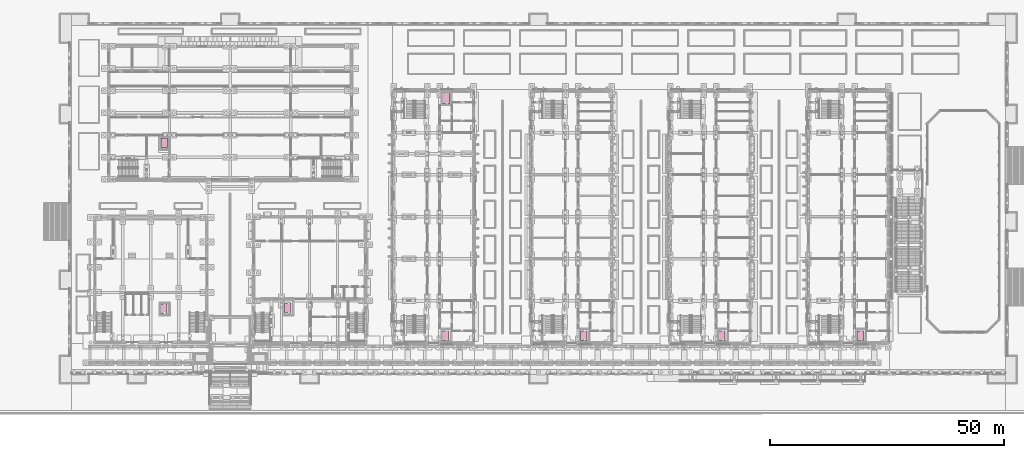
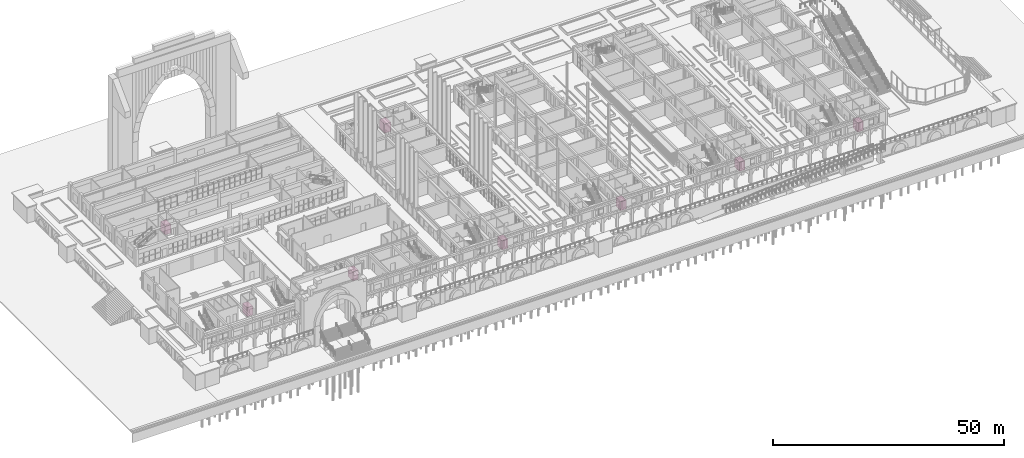
# One storey, part 161 of 161: 8 transport elements.
"""IFC4 building model written with IfcOpenShell, lengths in metres."""

from ifc_helpers import new_model, si_unit, direction, frame, origin, origin_2d, place, context, subcontext, project, spatial, rectangle, extrude, material, type_object, element, save


model = new_model("IFC4")

# Units and contexts
model_context = context("Model", 3, precision=1e-05, world=origin(), true_north=direction((0.0, 1.0)))
body_context = subcontext(model_context, "Body", "Model", "MODEL_VIEW")
ifc_project = project(units=[si_unit("LENGTHUNIT", "METRE"), si_unit("AREAUNIT", "SQUARE_METRE"), si_unit("VOLUMEUNIT", "CUBIC_METRE"), si_unit("PLANEANGLEUNIT", "RADIAN"), si_unit("MASSUNIT", "GRAM", prefix="KILO")], contexts=[model_context])

# Site, building, storey
site_placement = place(None, origin())
site = spatial("IfcSite", under=ifc_project, at=site_placement, CompositionType="ELEMENT")
building_placement = place(site_placement, origin())
building = spatial("IfcBuilding", under=site, at=building_placement, Name="Elbe Cascade School", CompositionType="ELEMENT")
storey_placement = place(building_placement, origin())
storey = spatial("IfcBuildingStorey", under=building, at=storey_placement, Name="L00", CompositionType="ELEMENT", Elevation=0.0)

# Transport elements
ifc_material_1 = material(Name="Stainless steel - brushed", Category="steel")
transport_element_type_1 = type_object("IfcTransportElementType", Name="Assembly hall passenger lift car 1400x2000", PredefinedType="ELEVATOR", material=ifc_material_1)
transport_element_1_placement = place(storey_placement, frame((19.800048828125, 13.300048828125, 0.0), z_axis=(0.0, 0.0, 1.0), x_axis=(1.0, 0.0, 0.0)))
element("IfcTransportElement", 1, at=transport_element_1_placement, inside=storey, type_object=transport_element_type_1, Name="Lift LF4 Assembly hall", PredefinedType="ELEVATOR", context=body_context, shape_type="SweptSolid", body=[
    extrude(rectangle(XDim=1.39990234375, YDim=2.0, at=origin_2d()), origin(), (0.0, 0.0, 1.0), 2.39990234375),
])
ifc_material_2 = material(Name="Stainless steel car", Category="steel")
transport_element_type_2 = type_object("IfcTransportElementType", Name="Bar goods lift 1600 kg", PredefinedType="ELEVATOR", material=ifc_material_2)
transport_element_2_placement = place(storey_placement, frame((80.199951171875, 58.39990234375, 0.0), z_axis=(0.0, 0.0, 1.0), x_axis=(1.0, 0.0, 0.0)))
element("IfcTransportElement", 2, at=transport_element_2_placement, inside=storey, type_object=transport_element_type_2, Name="Lift LF2 A", PredefinedType="ELEVATOR", context=body_context, shape_type="SweptSolid", body=[
    extrude(rectangle(XDim=1.60009765625, YDim=2.199951171875, at=origin_2d()), origin(), (0.0, 0.0, 1.0), 2.39990234375),
])
ifc_material_3 = material(Name="Stainless steel car", Category="steel")
transport_element_type_3 = type_object("IfcTransportElementType", Name="Bar passenger lift 1000 kg", PredefinedType="ELEVATOR", material=ifc_material_3)
for number, where, z_axis, x_axis, name in (
    (3, (80.10009765625, 7.5, 0.0), (0.0, 0.0, 1.0), (1.0, 0.0, 0.0), "Lift LF1 A"),
    (4, (109.699951171875, 7.5, 0.0), (0.0, 0.0, 1.0), (1.0, 0.0, 0.0), "Lift LF1 B"),
    (5, (139.300048828125, 7.5, 0.0), (0.0, 0.0, 1.0), (1.0, 0.0, 0.0), "Lift LF1 C"),
    (6, (168.89990234375, 7.5, 0.0), (0.0, 0.0, 1.0), (1.0, 0.0, 0.0), "Lift LF1 D"),
):
    element("IfcTransportElement", number, at=place(storey_placement, frame(where, z_axis=z_axis, x_axis=x_axis)), inside=storey, type_object=transport_element_type_3, Name=name, PredefinedType="ELEVATOR", context=body_context, shape_type="SweptSolid", body=[
        extrude(rectangle(XDim=1.39990234375, YDim=2.0, at=origin_2d()), origin(), (0.0, 0.0, 1.0), 2.39990234375),
    ])
ifc_material_4 = material(Name="Stainless steel - brushed", Category="steel")
transport_element_type_4 = type_object("IfcTransportElementType", Name="Cafe passenger lift car 1400x2000", PredefinedType="ELEVATOR", material=ifc_material_4)
transport_element_3_placement = place(storey_placement, frame((46.300048828125, 13.550048828125, 0.0), z_axis=(0.0, 0.0, 1.0), x_axis=(1.0, 0.0, 0.0)))
element("IfcTransportElement", 7, at=transport_element_3_placement, inside=storey, type_object=transport_element_type_4, Name="Lift LF5 Dining wing", PredefinedType="ELEVATOR", context=body_context, shape_type="SweptSolid", body=[
    extrude(rectangle(XDim=1.39990234375, YDim=2.0, at=origin_2d()), origin(), (0.0, 0.0, 1.0), 2.39990234375),
])
ifc_material_5 = material(Name="Steel - stainless car lining", Category="steel")
transport_element_type_5 = type_object("IfcTransportElementType", Name="Hall passenger lift", PredefinedType="ELEVATOR", material=ifc_material_5)
transport_element_4_placement = place(storey_placement, frame((19.85009765625, 48.85009765625, 0.0), z_axis=(0.0, 0.0, 1.0), x_axis=(1.0, 0.0, 0.0)))
element("IfcTransportElement", 8, at=transport_element_4_placement, inside=storey, type_object=transport_element_type_5, Name="Lift LF3 Sports hall", PredefinedType="ELEVATOR", context=body_context, shape_type="SweptSolid", body=[
    extrude(rectangle(XDim=1.39990234375, YDim=2.0, at=origin_2d()), origin(), (0.0, 0.0, 1.0), 2.39990234375),
])

save(model, "model.ifc")
